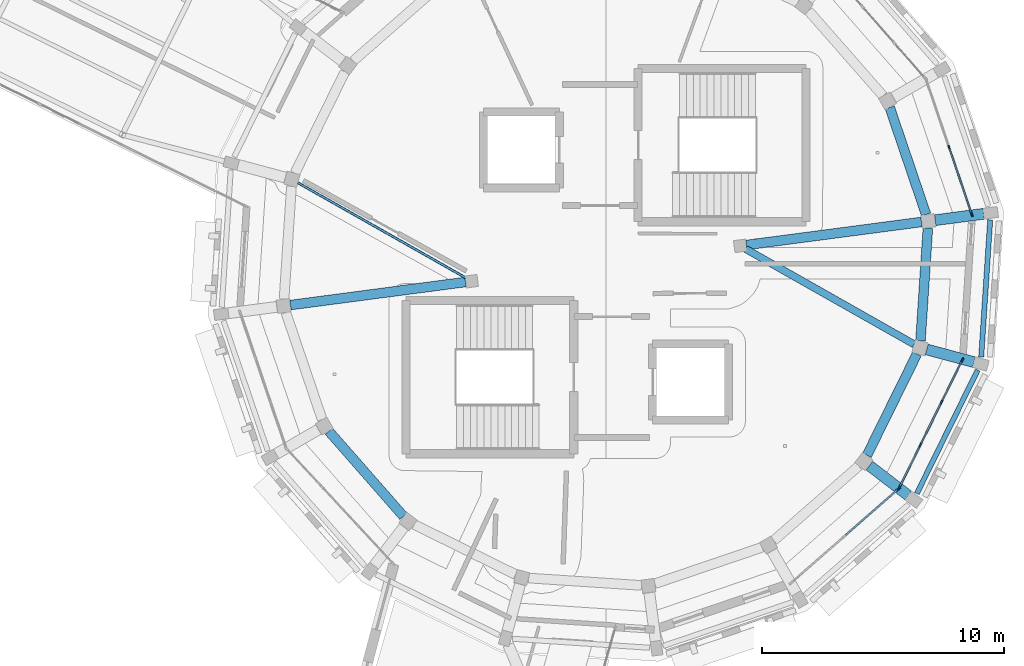
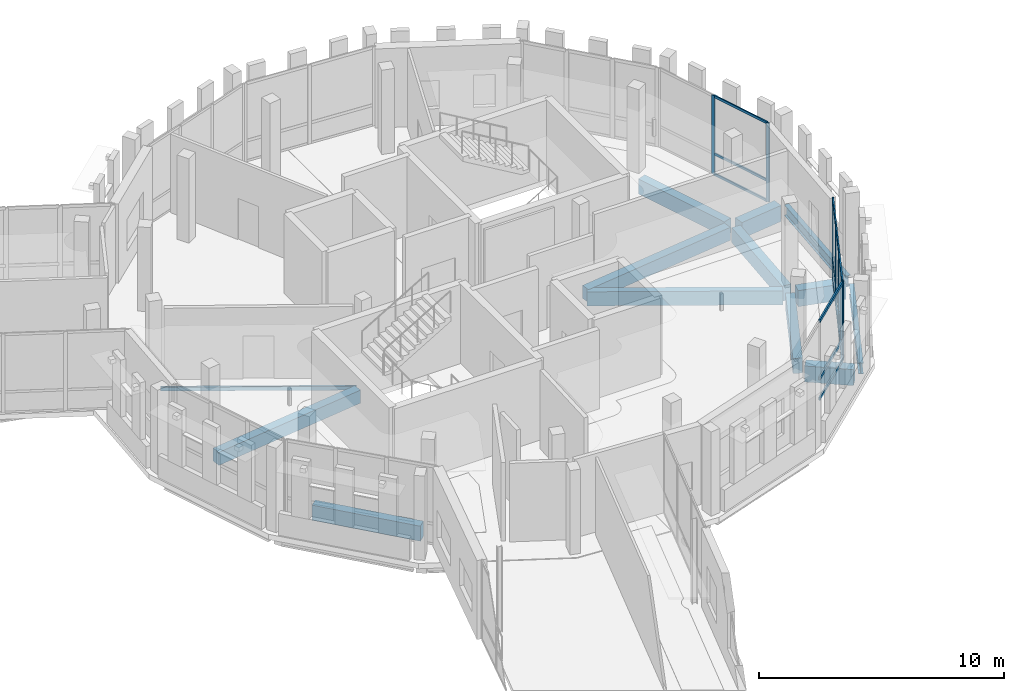
# One storey, part 64 of 125: 22 members, 13 beams, 3 elements without a shape of their own.
"""IFC4 building model written with IfcOpenShell, lengths in metres."""

import ifcopenshell
import ifcopenshell.guid

model = None  # the IFC model being written
_history = None  # IfcOwnerHistory: only IFC2X3 demands one
_inside = {}  # id of a spatial element -> (the spatial element, [elements in it])
_under = {}  # id of a project, library or spatial element -> (it, [spatial elements below it])
_declared = {}  # id of a project -> (the project, [libraries it declares])
_typed = {}  # id of a type object -> (the type object, [elements of that type])
_made_of = {}  # id of a material, layer set ... -> (it, [elements and type objects made of it])


def new_model(schema):
    """Start an empty IFC model of exactly this schema.

    Asked for "IFC4X3", IfcOpenShell would pick the latest addendum, in which some entities
    have other attributes; the version numbers below select the first issue.
    IFC2X3 requires an IfcOwnerHistory on every rooted entity: one is made here for all.
    """
    global model, _history
    if schema == "IFC4X3":
        model = ifcopenshell.file(schema_version=(4, 3, 0, 0))
    else:
        model = ifcopenshell.file(schema=schema)
    _inside.clear()
    _under.clear()
    _declared.clear()
    _typed.clear()
    _made_of.clear()
    _history = None
    if model.schema == "IFC2X3":
        org = make("IfcOrganization", Name="unknown")
        user = make(
            "IfcPersonAndOrganization",
            ThePerson=make("IfcPerson", FamilyName="unknown"),
            TheOrganization=org,
        )
        app = make(
            "IfcApplication",
            ApplicationDeveloper=org,
            Version="unknown",
            ApplicationFullName="unknown",
            ApplicationIdentifier="unknown",
        )
        _history = make(
            "IfcOwnerHistory",
            OwningUser=user,
            OwningApplication=app,
            ChangeAction="ADDED",
            CreationDate=0,
        )
    return model


def make(cls, **values):
    """One entity of the class cls with the attributes given. An attribute that is None is left unset."""
    return model.create_entity(
        cls, **{name: value for name, value in values.items() if value is not None}
    )


def rooted(cls, **values):
    """An entity with a GlobalId (a new one), such as an element, a storey or a relation."""
    return make(cls, GlobalId=ifcopenshell.guid.new(), OwnerHistory=_history, **values)


def si_unit(unit_type, name, prefix=None):
    """IfcSIUnit, for example si_unit("LENGTHUNIT", "METRE", prefix="MILLI")."""
    return make("IfcSIUnit", UnitType=unit_type, Prefix=prefix, Name=name)


def assignment(units):
    """IfcUnitAssignment: the units of a project."""
    return None if units is None else make("IfcUnitAssignment", Units=units)


def point(xyz):
    """IfcCartesianPoint."""
    return None if xyz is None else make("IfcCartesianPoint", Coordinates=xyz)


def direction(xyz):
    """IfcDirection."""
    return None if xyz is None else make("IfcDirection", DirectionRatios=xyz)


def frame(location, z_axis=None, x_axis=None):
    """IfcAxis2Placement3D, a coordinate frame: its origin and axes. An axis left out is left unset."""
    return make(
        "IfcAxis2Placement3D",
        Location=point(location),
        Axis=direction(z_axis),
        RefDirection=direction(x_axis),
    )


def frame_2d(location, x_axis=None):
    """IfcAxis2Placement2D, a coordinate frame in the plane: its origin and x axis."""
    return make(
        "IfcAxis2Placement2D", Location=point(location), RefDirection=direction(x_axis)
    )


def origin():
    """The frame at (0, 0, 0) with its axes left unset."""
    return frame((0.0, 0.0, 0.0))


def origin_2d():
    """The frame at (0, 0) in the plane with its x axis left unset."""
    return frame_2d((0.0, 0.0))


def place(relative_to, where):
    """IfcLocalPlacement: puts the frame where relative to a parent placement (None: the world)."""
    return make(
        "IfcLocalPlacement", PlacementRelTo=relative_to, RelativePlacement=where
    )


def context(
    kind, dimensions, precision=None, world=None, true_north=None, identifier=None
):
    """IfcGeometricRepresentationContext, for example the 3D "Model" context."""
    return make(
        "IfcGeometricRepresentationContext",
        ContextIdentifier=identifier,
        ContextType=kind,
        CoordinateSpaceDimension=dimensions,
        Precision=precision,
        WorldCoordinateSystem=world,
        TrueNorth=true_north,
    )


def subcontext(parent, identifier, kind, view, scale=None):
    """IfcGeometricRepresentationSubContext, for example "Body" below "Model"."""
    return make(
        "IfcGeometricRepresentationSubContext",
        ContextIdentifier=identifier,
        ContextType=kind,
        ParentContext=parent,
        TargetScale=scale,
        TargetView=view,
    )


def project(units=None, contexts=None):
    """IfcProject with its units and contexts."""
    return rooted(
        "IfcProject",
        Name="project",
        RepresentationContexts=contexts,
        UnitsInContext=assignment(units),
    )


def spatial(cls, under=None, at=None, **own):
    """A site, building, storey or space (cls), placed at a placement, below another one or the project."""
    s = rooted(cls, ObjectPlacement=at, **own)
    if under is not None:
        _under.setdefault(under.id(), (under, []))[1].append(s)
    return s


def profile(cls, at=None, kind="AREA", **sizes):
    """A parametric profile (cls). Its sizes go by their IFC names, for example OverallWidth=200.0."""
    return make(cls, ProfileType=kind, Position=at, **sizes)


def rectangle(**sizes):
    """IfcRectangleProfileDef."""
    return profile("IfcRectangleProfileDef", **sizes)


def hollow_rectangle(**sizes):
    """IfcRectangleHollowProfileDef."""
    return profile("IfcRectangleHollowProfileDef", **sizes)


def i_section(**sizes):
    """IfcIShapeProfileDef."""
    return profile("IfcIShapeProfileDef", **sizes)


def extrude(swept, where, along, depth):
    """IfcExtrudedAreaSolid: the profile swept, set in the frame where, extruded along a direction by depth."""
    return make(
        "IfcExtrudedAreaSolid",
        SweptArea=swept,
        Position=where,
        ExtrudedDirection=direction(along),
        Depth=depth,
    )


def shape(context_of_items, identifier, shape_type, items):
    """IfcShapeRepresentation: the items that make up one representation, for example the "Body"."""
    return make(
        "IfcShapeRepresentation",
        ContextOfItems=context_of_items,
        RepresentationIdentifier=identifier,
        RepresentationType=shape_type,
        Items=items,
    )


def material(Name=None, Category=None):
    """IfcMaterial."""
    return make("IfcMaterial", Name=Name, Category=Category)


def material_profile(
    of_material, cross_section, Name=None, Category=None, Priority=None
):
    """IfcMaterialProfile: a cross section and its material."""
    return make(
        "IfcMaterialProfile",
        Name=Name,
        Material=of_material,
        Profile=cross_section,
        Priority=Priority,
        Category=Category,
    )


def profile_set(profiles, Name=None, composite=None):
    """IfcMaterialProfileSet."""
    return make(
        "IfcMaterialProfileSet",
        Name=Name,
        MaterialProfiles=profiles,
        CompositeProfile=composite,
    )


def made_of(thing, what):
    """Note that an element or type object is made of a material, layer set ...; save() writes the relation."""
    if what is not None:
        _made_of.setdefault(what.id(), (what, []))[1].append(thing)
    return thing


def type_object(cls, material=None, **own):
    """A type object (cls), such as IfcWallType, which elements share."""
    return made_of(rooted(cls, **own), material)


def element(
    cls,
    number,
    at=None,
    inside=None,
    cuts=None,
    type_object=None,
    material=None,
    context=None,
    identifier="Body",
    shape_type=None,
    held_by="IfcProductDefinitionShape",
    body=None,
    shapes=None,
    **own,
):
    """One element of the class cls, such as IfcWall. Its Tag is "e" and its number.

    at: its placement. inside: the storey or other place that contains it. cuts: it is an
    opening in that element (IfcRelVoidsElement). A single representation is given by context,
    identifier, shape_type and body (its items); several are given by shapes. held_by: the class
    of the entity that holds the representations. save() writes the other relations.
    """
    e = rooted(cls, Tag="e%d" % number, ObjectPlacement=at, **own)
    if body is not None:
        shapes = [shape(context, identifier, shape_type, body)]
    if shapes is not None:
        e.Representation = make(held_by, Representations=shapes)
    if inside is not None:
        _inside.setdefault(inside.id(), (inside, []))[1].append(e)
    if cuts is not None:
        rooted(
            "IfcRelVoidsElement", RelatingBuildingElement=cuts, RelatedOpeningElement=e
        )
    if type_object is not None:
        _typed.setdefault(type_object.id(), (type_object, []))[1].append(e)
    return made_of(e, material)


def aggregate(whole, parts):
    """IfcRelAggregates: a whole, such as a stair, and the parts it consists of."""
    return rooted("IfcRelAggregates", RelatingObject=whole, RelatedObjects=parts)


def save(model, path):
    """Write the relations noted so far, then the file.

    IfcRelAggregates (storeys below a building ...), IfcRelContainedInSpatialStructure (elements
    in a storey), IfcRelDefinesByType, IfcRelAssociatesMaterial and IfcRelDeclares: one each for
    every whole, place, type object, material and project.
    """
    for whole, parts in _under.values():
        aggregate(whole, parts)
    for where, things in _inside.values():
        rooted(
            "IfcRelContainedInSpatialStructure",
            RelatedElements=things,
            RelatingStructure=where,
        )
    for kind, things in _typed.values():
        rooted("IfcRelDefinesByType", RelatedObjects=things, RelatingType=kind)
    for what, things in _made_of.values():
        rooted("IfcRelAssociatesMaterial", RelatedObjects=things, RelatingMaterial=what)
    for by, libraries in _declared.values():
        rooted("IfcRelDeclares", RelatingContext=by, RelatedDefinitions=libraries)
    model.write(path)


model = new_model("IFC4")

# Units and contexts
model_context = context("Model", 3, precision=1e-05, world=origin(), true_north=direction((0.0, 1.0)))
body_context = subcontext(model_context, "Body", "Model", "MODEL_VIEW")
ifc_project = project(units=[si_unit("LENGTHUNIT", "METRE"), si_unit("AREAUNIT", "SQUARE_METRE"), si_unit("VOLUMEUNIT", "CUBIC_METRE"), si_unit("PLANEANGLEUNIT", "RADIAN"), si_unit("MASSUNIT", "GRAM", prefix="KILO")], contexts=[model_context])

# Site, building, storey
site_placement = place(None, origin())
site = spatial("IfcSite", under=ifc_project, at=site_placement, CompositionType="ELEMENT")
building_placement = place(site_placement, origin())
building = spatial("IfcBuilding", under=site, at=building_placement, Name="Wrenclough Park School", CompositionType="ELEMENT")
storey_placement = place(building_placement, frame((0.0, 0.0, 4.199951171875)))
storey = spatial("IfcBuildingStorey", under=building, at=storey_placement, Name="L01", CompositionType="ELEMENT", Elevation=4.199951171875)

# Curtain wall, members
ifc_material_1 = material(Name="Thermally broken aluminium and low-e glass curtain wall", Category="aluminium")
curtain_wall_type_1 = type_object("IfcCurtainWallType", Name="ENV-CW-06", PredefinedType="USERDEFINED", material=ifc_material_1)
curtain_wall_1_placement = place(storey_placement, origin())
curtain_wall_1 = element("IfcCurtainWall", 1, at=curtain_wall_1_placement, inside=storey, type_object=curtain_wall_type_1, Name="L01 recessed curtain wall assembly 117", ObjectType="CURTAIN WALL", PredefinedType="USERDEFINED")
ifc_material_2 = material(Name="Thermally broken anodised aluminium", Category="aluminium")
ifc_material_profile_1 = material_profile(ifc_material_2, rectangle(XDim=0.06005859375, YDim=0.159912109375, at=origin_2d()), Name="AL MULLION 60x160")
ifc_profile_set_1 = profile_set([ifc_material_profile_1], Name="Thermally broken anodised aluminium")
member_type_1 = type_object("IfcMemberType", Name="ENV-CWM-1", PredefinedType="MULLION", material=ifc_profile_set_1)
member_1_placement = place(storey_placement, frame((188.68896484375, 98.31640625, 0.0), z_axis=(0.0, 0.0, 1.0), x_axis=(0.946933787668, 0.321428688473, 0.0)))
member_1 = element("IfcMember", 2, at=member_1_placement, type_object=member_type_1, Name="CW-06 mullion 2", PredefinedType="MULLION", context=body_context, shape_type="SweptSolid", body=[
    extrude(rectangle(XDim=0.06005859375, YDim=0.159912109375, at=origin_2d()), origin(), (0.0, 0.0, 1.0), 3.93994140625),
])
member_2_placement = place(storey_placement, frame((189.635986328125, 95.5263671875, 0.0), z_axis=(0.0, 0.0, 1.0), x_axis=(0.946933787668, 0.321428688473, 0.0)))
member_2 = element("IfcMember", 3, at=member_2_placement, type_object=member_type_1, Name="CW-06 mullion 3", PredefinedType="MULLION", context=body_context, shape_type="SweptSolid", body=[
    extrude(rectangle(XDim=0.06005859375, YDim=0.159912109375, at=origin_2d()), origin(), (0.0, 0.0, 1.0), 3.93994140625),
])

curtain_wall_type_2 = type_object("IfcCurtainWallType", Name="ENV-CW-07", PredefinedType="USERDEFINED", material=ifc_material_1)
curtain_wall_2_placement = place(storey_placement, origin())
curtain_wall_2 = element("IfcCurtainWall", 4, at=curtain_wall_2_placement, inside=storey, type_object=curtain_wall_type_2, Name="L01 recessed curtain wall assembly 118", ObjectType="CURTAIN WALL", PredefinedType="USERDEFINED")
ifc_material_profile_2 = material_profile(ifc_material_2, rectangle(XDim=0.06494140625, YDim=0.179931640625, at=origin_2d()), Name="AL MULLION 65x180")
ifc_profile_set_2 = profile_set([ifc_material_profile_2], Name="Thermally broken anodised aluminium")
member_type_2 = type_object("IfcMemberType", Name="ENV-CWM-2", PredefinedType="MULLION", material=ifc_profile_set_2)
member_3_placement = place(storey_placement, frame((189.240966796875, 89.51318359375, 0.0), z_axis=(0.0, 0.0, 1.0), x_axis=(0.896866215328, -0.442301923806, 0.0)))
member_3 = element("IfcMember", 5, at=member_3_placement, type_object=member_type_2, Name="CW-07 mullion 1", PredefinedType="MULLION", context=body_context, shape_type="SweptSolid", body=[
    extrude(rectangle(XDim=0.06494140625, YDim=0.179931640625, at=origin_2d()), origin(), (0.0, 0.0, 1.0), 3.93994140625),
])
member_4_placement = place(storey_placement, frame((188.377685546875, 87.762451171875, 0.0), z_axis=(0.0, 0.0, 1.0), x_axis=(0.896866215328, -0.442301923806, 0.0)))
member_4 = element("IfcMember", 6, at=member_4_placement, type_object=member_type_2, Name="CW-07 mullion 2", PredefinedType="MULLION", context=body_context, shape_type="SweptSolid", body=[
    extrude(rectangle(XDim=0.06494140625, YDim=0.179931640625, at=origin_2d()), origin(), (0.0, 0.0, 1.0), 3.93994140625),
])
member_5_placement = place(storey_placement, frame((187.5, 85.98291015625, 0.0), z_axis=(0.0, 0.0, 1.0), x_axis=(0.896866215328, -0.442301923806, 0.0)))
member_5 = element("IfcMember", 7, at=member_5_placement, type_object=member_type_2, Name="CW-07 mullion 3", PredefinedType="MULLION", context=body_context, shape_type="SweptSolid", body=[
    extrude(rectangle(XDim=0.06494140625, YDim=0.179931640625, at=origin_2d()), origin(), (0.0, 0.0, 1.0), 3.93994140625),
])
member_6_placement = place(storey_placement, frame((186.63671875, 84.232177734375, 0.0), z_axis=(0.0, 0.0, 1.0), x_axis=(0.896866215328, -0.442301923806, 0.0)))
member_6 = element("IfcMember", 8, at=member_6_placement, type_object=member_type_2, Name="CW-07 mullion 4", PredefinedType="MULLION", context=body_context, shape_type="SweptSolid", body=[
    extrude(rectangle(XDim=0.06494140625, YDim=0.179931640625, at=origin_2d()), origin(), (0.0, 0.0, 1.0), 3.93994140625),
])

# Curtain wall, member
curtain_wall_type_3 = type_object("IfcCurtainWallType", Name="ENV-CW-08", PredefinedType="USERDEFINED", material=ifc_material_1)
curtain_wall_3_placement = place(storey_placement, origin())
curtain_wall_3 = element("IfcCurtainWall", 9, at=curtain_wall_3_placement, inside=storey, type_object=curtain_wall_type_3, Name="L01 recessed curtain wall assembly 119", ObjectType="CURTAIN WALL", PredefinedType="USERDEFINED")
ifc_material_profile_3 = material_profile(ifc_material_2, rectangle(XDim=0.070068359375, YDim=0.199951171875, at=origin_2d()), Name="AL MULLION 70x200")
ifc_profile_set_3 = profile_set([ifc_material_profile_3], Name="Thermally broken anodised aluminium")
member_type_3 = type_object("IfcMemberType", Name="ENV-CWM-3", PredefinedType="MULLION", material=ifc_profile_set_3)
member_7_placement = place(storey_placement, frame((186.591064453125, 84.173828125, 0.0), z_axis=(0.0, 0.0, 1.0), x_axis=(0.65936519908, -0.751822807743, 0.0)))
member_7 = element("IfcMember", 10, at=member_7_placement, type_object=member_type_3, Name="CW-08 mullion 1", PredefinedType="MULLION", context=body_context, shape_type="SweptSolid", body=[
    extrude(rectangle(XDim=0.070068359375, YDim=0.199951171875, at=origin_2d()), origin(), (0.0, 0.0, 1.0), 3.93994140625),
])

# Member
ifc_material_profile_4 = material_profile(ifc_material_2, rectangle(XDim=0.06005859375, YDim=0.1201171875, at=origin_2d()), Name="AL TRANSOM 60x120")
ifc_profile_set_4 = profile_set([ifc_material_profile_4], Name="Thermally broken anodised aluminium")
member_type_4 = type_object("IfcMemberType", Name="ENV-CWT-1", PredefinedType="USERDEFINED", material=ifc_profile_set_4)
member_8_placement = place(storey_placement, frame((188.698486328125, 98.2880859375, 0.030029296875), z_axis=(0.321475117743, -0.946918026374, 0.0), x_axis=(0.946918026374, 0.321475117743, 0.0)))
member_8 = element("IfcMember", 11, at=member_8_placement, type_object=member_type_4, Name="CW-06 transom 2.1", ObjectType="TRANSOM", PredefinedType="USERDEFINED", context=body_context, shape_type="SweptSolid", body=[
    extrude(rectangle(XDim=0.06005859375, YDim=0.1201171875, at=origin_2d()), origin(), (0.0, 0.0, 1.0), 2.88671875),
])

member_9_placement = place(storey_placement, frame((188.698486328125, 98.2880859375, 1.050048828125), z_axis=(0.321475117743, -0.946918026374, 0.0), x_axis=(0.946918026374, 0.321475117743, 0.0)))
member_9 = element("IfcMember", 12, at=member_9_placement, type_object=member_type_4, Name="CW-06 transom 2.2", ObjectType="TRANSOM", PredefinedType="USERDEFINED", context=body_context, shape_type="SweptSolid", body=[
    extrude(rectangle(XDim=0.06005859375, YDim=0.1201171875, at=origin_2d()), origin(), (0.0, 0.0, 1.0), 2.88671875),
])

member_10_placement = place(storey_placement, frame((188.698486328125, 98.2880859375, 3.91015625), z_axis=(0.321475117743, -0.946918026374, 0.0), x_axis=(0.946918026374, 0.321475117743, 0.0)))
member_10 = element("IfcMember", 13, at=member_10_placement, type_object=member_type_4, Name="CW-06 transom 2.3", ObjectType="TRANSOM", PredefinedType="USERDEFINED", context=body_context, shape_type="SweptSolid", body=[
    extrude(rectangle(XDim=0.06005859375, YDim=0.1201171875, at=origin_2d()), origin(), (0.0, 0.0, 1.0), 2.88671875),
])

aggregate(curtain_wall_1, [member_1, member_2, member_8, member_9, member_10])

ifc_material_profile_5 = material_profile(ifc_material_2, rectangle(XDim=0.06494140625, YDim=0.139892578125, at=origin_2d()), Name="AL TRANSOM 65x140")
ifc_profile_set_5 = profile_set([ifc_material_profile_5], Name="Thermally broken anodised aluminium")
member_type_5 = type_object("IfcMemberType", Name="ENV-CWT-2", PredefinedType="USERDEFINED", material=ifc_profile_set_5)
member_11_placement = place(storey_placement, frame((189.2265625, 89.48388671875, 0.032470703125), z_axis=(-0.442289632432, -0.896872276884, 0.0), x_axis=(0.896872276884, -0.442289632432, 0.0)))
member_11 = element("IfcMember", 14, at=member_11_placement, type_object=member_type_5, Name="CW-07 transom 1.1", ObjectType="TRANSOM", PredefinedType="USERDEFINED", context=body_context, shape_type="SweptSolid", body=[
    extrude(rectangle(XDim=0.06494140625, YDim=0.139892578125, at=origin_2d()), origin(), (0.0, 0.0, 1.0), 1.88671875),
])

member_12_placement = place(storey_placement, frame((189.2265625, 89.48388671875, 1.050048828125), z_axis=(-0.442289632432, -0.896872276884, 0.0), x_axis=(0.896872276884, -0.442289632432, 0.0)))
member_12 = element("IfcMember", 15, at=member_12_placement, type_object=member_type_5, Name="CW-07 transom 1.2", ObjectType="TRANSOM", PredefinedType="USERDEFINED", context=body_context, shape_type="SweptSolid", body=[
    extrude(rectangle(XDim=0.06494140625, YDim=0.139892578125, at=origin_2d()), origin(), (0.0, 0.0, 1.0), 1.88671875),
])

member_13_placement = place(storey_placement, frame((189.2265625, 89.48388671875, 3.907470703125), z_axis=(-0.442289632432, -0.896872276884, 0.0), x_axis=(0.896872276884, -0.442289632432, 0.0)))
member_13 = element("IfcMember", 16, at=member_13_placement, type_object=member_type_5, Name="CW-07 transom 1.3", ObjectType="TRANSOM", PredefinedType="USERDEFINED", context=body_context, shape_type="SweptSolid", body=[
    extrude(rectangle(XDim=0.06494140625, YDim=0.139892578125, at=origin_2d()), origin(), (0.0, 0.0, 1.0), 1.88671875),
])

member_14_placement = place(storey_placement, frame((188.36328125, 87.7333984375, 0.032470703125), z_axis=(-0.442271460139, -0.896881238262, 0.0), x_axis=(0.896881238262, -0.442271460139, 0.0)))
member_14 = element("IfcMember", 17, at=member_14_placement, type_object=member_type_5, Name="CW-07 transom 2.1", ObjectType="TRANSOM", PredefinedType="USERDEFINED", context=body_context, shape_type="SweptSolid", body=[
    extrude(rectangle(XDim=0.06494140625, YDim=0.139892578125, at=origin_2d()), origin(), (0.0, 0.0, 1.0), 1.91943359375),
])

member_15_placement = place(storey_placement, frame((188.36328125, 87.7333984375, 1.050048828125), z_axis=(-0.442271460139, -0.896881238262, 0.0), x_axis=(0.896881238262, -0.442271460139, 0.0)))
member_15 = element("IfcMember", 18, at=member_15_placement, type_object=member_type_5, Name="CW-07 transom 2.2", ObjectType="TRANSOM", PredefinedType="USERDEFINED", context=body_context, shape_type="SweptSolid", body=[
    extrude(rectangle(XDim=0.06494140625, YDim=0.139892578125, at=origin_2d()), origin(), (0.0, 0.0, 1.0), 1.91943359375),
])

member_16_placement = place(storey_placement, frame((188.36328125, 87.7333984375, 3.907470703125), z_axis=(-0.442271460139, -0.896881238262, 0.0), x_axis=(0.896881238262, -0.442271460139, 0.0)))
member_16 = element("IfcMember", 19, at=member_16_placement, type_object=member_type_5, Name="CW-07 transom 2.3", ObjectType="TRANSOM", PredefinedType="USERDEFINED", context=body_context, shape_type="SweptSolid", body=[
    extrude(rectangle(XDim=0.06494140625, YDim=0.139892578125, at=origin_2d()), origin(), (0.0, 0.0, 1.0), 1.91943359375),
])

member_17_placement = place(storey_placement, frame((187.485595703125, 85.95361328125, 0.032470703125), z_axis=(-0.442289632432, -0.896872276884, 0.0), x_axis=(0.896872276884, -0.442289632432, 0.0)))
member_17 = element("IfcMember", 20, at=member_17_placement, type_object=member_type_5, Name="CW-07 transom 3.1", ObjectType="TRANSOM", PredefinedType="USERDEFINED", context=body_context, shape_type="SweptSolid", body=[
    extrude(rectangle(XDim=0.06494140625, YDim=0.139892578125, at=origin_2d()), origin(), (0.0, 0.0, 1.0), 1.88671875),
])

member_18_placement = place(storey_placement, frame((187.485595703125, 85.95361328125, 1.050048828125), z_axis=(-0.442289632432, -0.896872276884, 0.0), x_axis=(0.896872276884, -0.442289632432, 0.0)))
member_18 = element("IfcMember", 21, at=member_18_placement, type_object=member_type_5, Name="CW-07 transom 3.2", ObjectType="TRANSOM", PredefinedType="USERDEFINED", context=body_context, shape_type="SweptSolid", body=[
    extrude(rectangle(XDim=0.06494140625, YDim=0.139892578125, at=origin_2d()), origin(), (0.0, 0.0, 1.0), 1.88671875),
])

member_19_placement = place(storey_placement, frame((187.485595703125, 85.95361328125, 3.907470703125), z_axis=(-0.442289632432, -0.896872276884, 0.0), x_axis=(0.896872276884, -0.442289632432, 0.0)))
member_19 = element("IfcMember", 22, at=member_19_placement, type_object=member_type_5, Name="CW-07 transom 3.3", ObjectType="TRANSOM", PredefinedType="USERDEFINED", context=body_context, shape_type="SweptSolid", body=[
    extrude(rectangle(XDim=0.06494140625, YDim=0.139892578125, at=origin_2d()), origin(), (0.0, 0.0, 1.0), 1.88671875),
])

aggregate(curtain_wall_2, [member_3, member_4, member_5, member_6, member_11, member_12, member_13, member_14, member_15, member_16, member_17, member_18, member_19])

ifc_material_profile_6 = material_profile(ifc_material_2, rectangle(XDim=0.070068359375, YDim=0.14990234375, at=origin_2d()), Name="AL TRANSOM 70x150")
ifc_profile_set_6 = profile_set([ifc_material_profile_6], Name="Thermally broken anodised aluminium")
member_type_6 = type_object("IfcMemberType", Name="ENV-CWT-3", PredefinedType="USERDEFINED", material=ifc_profile_set_6)
member_20_placement = place(storey_placement, frame((186.56494140625, 84.150634765625, 0.03515625), z_axis=(-0.751844142799, -0.659340871583, 0.0), x_axis=(0.659340871583, -0.751844142799, 0.0)))
member_20 = element("IfcMember", 23, at=member_20_placement, type_object=member_type_6, Name="CW-08 transom 1.1", ObjectType="TRANSOM", PredefinedType="USERDEFINED", context=body_context, shape_type="SweptSolid", body=[
    extrude(rectangle(XDim=0.070068359375, YDim=0.14990234375, at=origin_2d()), origin(), (0.0, 0.0, 1.0), 2.87158203125),
])

member_21_placement = place(storey_placement, frame((186.56494140625, 84.150634765625, 1.050048828125), z_axis=(-0.751844142799, -0.659340871583, 0.0), x_axis=(0.659340871583, -0.751844142799, 0.0)))
member_21 = element("IfcMember", 24, at=member_21_placement, type_object=member_type_6, Name="CW-08 transom 1.2", ObjectType="TRANSOM", PredefinedType="USERDEFINED", context=body_context, shape_type="SweptSolid", body=[
    extrude(rectangle(XDim=0.070068359375, YDim=0.14990234375, at=origin_2d()), origin(), (0.0, 0.0, 1.0), 2.87158203125),
])

member_22_placement = place(storey_placement, frame((186.56494140625, 84.150634765625, 3.905029296875), z_axis=(-0.751844142799, -0.659340871583, 0.0), x_axis=(0.659340871583, -0.751844142799, 0.0)))
member_22 = element("IfcMember", 25, at=member_22_placement, type_object=member_type_6, Name="CW-08 transom 1.3", ObjectType="TRANSOM", PredefinedType="USERDEFINED", context=body_context, shape_type="SweptSolid", body=[
    extrude(rectangle(XDim=0.070068359375, YDim=0.14990234375, at=origin_2d()), origin(), (0.0, 0.0, 1.0), 2.87158203125),
])

aggregate(curtain_wall_3, [member_7, member_20, member_21, member_22])

# Beams
ifc_material_3 = material(Name="Concrete C40/50", Category="concrete")
ifc_material_profile_7 = material_profile(ifc_material_3, rectangle(XDim=0.300048828125, YDim=0.699951171875, at=origin_2d()), Name="RC COUPLE 300x700")
ifc_profile_set_7 = profile_set([ifc_material_profile_7], Name="Concrete C40/50")
beam_type_1 = type_object("IfcBeamType", Name="STR-BM-CPL1", PredefinedType="USERDEFINED", material=ifc_profile_set_7)
beam_1_placement = place(storey_placement, frame((187.2412109375, 90.160888671875, -0.614990234375), z_axis=(-0.870223765614, 0.492656673314, 0.0), x_axis=(-0.492656673314, -0.870223765614, 0.0)))
element("IfcBeam", 26, at=beam_1_placement, inside=storey, type_object=beam_type_1, Name="D5 L01 secondary radial floor beam 15", ObjectType="COUPLING BEAM", PredefinedType="USERDEFINED", context=body_context, shape_type="SweptSolid", body=[
    extrude(rectangle(XDim=0.300048828125, YDim=0.699951171875, at=origin_2d()), origin(), (0.0, 0.0, 1.0), 7.997314453125),
])
ifc_material_4 = material(Name="Concrete C35/45", Category="concrete")
ifc_material_profile_8 = material_profile(ifc_material_4, rectangle(XDim=0.39990234375, YDim=0.64990234375, at=origin_2d()), Name="RC BEAM 400x650")
ifc_profile_set_8 = profile_set([ifc_material_profile_8], Name="Concrete C35/45")
beam_type_2 = type_object("IfcBeamType", Name="STR-BM-RC400A", PredefinedType="BEAM", material=ifc_profile_set_8)
for number, where, z_axis, x_axis, name in (
    (27, (187.54931640625, 95.218017578125, -0.58984375), (-0.991443930894, -0.130533259721, 0.0), (0.130533259721, -0.991443930894, 0.0), "D5 L01 inner radial beam 1"),
    (28, (161.45068359375, 91.781982421875, -0.58984375), (0.991443930894, 0.130533259721, 0.0), (-0.130533259721, 0.991443930894, 0.0), "D5 L01 inner radial beam 5"),
):
    element("IfcBeam", number, at=place(storey_placement, frame(where, z_axis=z_axis, x_axis=x_axis)), inside=storey, type_object=beam_type_2, Name=name, PredefinedType="BEAM", context=body_context, shape_type="SweptSolid", body=[
        extrude(rectangle(XDim=0.39990234375, YDim=0.64990234375, at=origin_2d()), origin(), (0.0, 0.0, 1.0), 7.298095703125),
    ])
ifc_material_profile_9 = material_profile(ifc_material_4, rectangle(XDim=0.39990234375, YDim=0.75, at=origin_2d()), Name="RC BEAM 400x750")
ifc_profile_set_9 = profile_set([ifc_material_profile_9], Name="Concrete C35/45")
beam_type_3 = type_object("IfcBeamType", Name="STR-BM-RC400B", PredefinedType="BEAM", material=ifc_profile_set_9)
for number, where, z_axis, x_axis, name in (
    (29, (187.7421875, 95.5283203125, -0.639892578125), (-0.321427721776, 0.946934115804, 0.0), (-0.946934115804, -0.321427721776, 0.0), "D5 L01 middle ring beam 1"),
    (30, (163.0419921875, 86.55859375, -0.639892578125), (0.659318126683, -0.751864088667, 0.0), (0.751864088667, 0.659318126683, 0.0), "D5 L01 middle ring beam 10"),
):
    element("IfcBeam", number, at=place(storey_placement, frame(where, z_axis=z_axis, x_axis=x_axis)), inside=storey, type_object=beam_type_3, Name=name, PredefinedType="BEAM", context=body_context, shape_type="SweptSolid", body=[
        extrude(rectangle(XDim=0.39990234375, YDim=0.75, at=origin_2d()), origin(), (0.0, 0.0, 1.0), 4.671875),
    ])
beam_2_placement = place(storey_placement, frame((185.298095703125, 85.570556640625, -0.639892578125), z_axis=(0.442273481226, 0.896880241617, 0.0), x_axis=(-0.896880241617, 0.442273481226, 0.0)))
element("IfcBeam", 31, at=beam_2_placement, inside=storey, type_object=beam_type_3, Name="D5 L01 middle ring beam 15", PredefinedType="BEAM", context=body_context, shape_type="SweptSolid", body=[
    extrude(rectangle(XDim=0.39990234375, YDim=0.75, at=origin_2d()), origin(), (0.0, 0.0, 1.0), 4.671630859375),
])
beam_3_placement = place(storey_placement, frame((187.510498046875, 90.306396484375, -0.639892578125), z_axis=(0.065426418457, 0.997857396509, 0.0), x_axis=(-0.997857396509, 0.065426418457, 0.0)))
element("IfcBeam", 32, at=beam_3_placement, inside=storey, type_object=beam_type_3, Name="D5 L01 middle ring beam 16", PredefinedType="BEAM", context=body_context, shape_type="SweptSolid", body=[
    extrude(rectangle(XDim=0.39990234375, YDim=0.75, at=origin_2d()), origin(), (0.0, 0.0, 1.0), 4.671875),
])
ifc_material_profile_10 = material_profile(ifc_material_3, rectangle(XDim=0.449951171875, YDim=0.800048828125, at=origin_2d()), Name="RC BEAM 450x800")
ifc_profile_set_10 = profile_set([ifc_material_profile_10], Name="Concrete C40/50")
beam_type_4 = type_object("IfcBeamType", Name="STR-BM-RC450", PredefinedType="BEAM", material=ifc_profile_set_10)
beam_4_placement = place(storey_placement, frame((190.127197265625, 95.557373046875, -0.6650390625), z_axis=(-0.991447725786, -0.130504433005, 0.0), x_axis=(0.130504433005, -0.991447725786, 0.0)))
element("IfcBeam", 33, at=beam_4_placement, inside=storey, type_object=beam_type_4, Name="D5 L01 radial girder 1", PredefinedType="BEAM", context=body_context, shape_type="SweptSolid", body=[
    extrude(rectangle(XDim=0.449951171875, YDim=0.800048828125, at=origin_2d()), origin(), (0.0, 0.0, 1.0), 2.024169921875),
])
for number, where, z_axis, x_axis, name in (
    (34, (187.0048828125, 83.90478515625, -0.6650390625), (-0.793336422335, 0.608783476285, 0.0), (-0.608783476285, -0.793336422335, 0.0), "D5 L01 radial girder 15"),
    (35, (189.724853515625, 89.42041015625, -0.6650390625), (-0.965909815931, 0.258878789183, 0.0), (-0.258878789183, -0.965909815931, 0.0), "D5 L01 radial girder 16"),
):
    element("IfcBeam", number, at=place(storey_placement, frame(where, z_axis=z_axis, x_axis=x_axis)), inside=storey, type_object=beam_type_4, Name=name, PredefinedType="BEAM", context=body_context, shape_type="SweptSolid", body=[
        extrude(rectangle(XDim=0.449951171875, YDim=0.800048828125, at=origin_2d()), origin(), (0.0, 0.0, 1.0), 2.02392578125),
    ])
ifc_material_5 = material(Name="Structural steel S355", Category="steel")
ifc_material_profile_11 = material_profile(ifc_material_5, hollow_rectangle(XDim=0.10009765625, YDim=0.199951171875, WallThickness=0.008056640625, InnerFilletRadius=0.008056640625, OuterFilletRadius=0.011962890625, at=origin_2d()), Name="RHS 200x100x8.0")
ifc_profile_set_11 = profile_set([ifc_material_profile_11], Name="Structural steel S355")
beam_type_5 = type_object("IfcBeamType", Name="STR-BM-RHS200", PredefinedType="LINTEL", material=ifc_profile_set_11)
beam_5_placement = place(storey_placement, frame((161.7587890625, 96.839111328125, -0.364990234375), z_axis=(0.870223765614, -0.492656673314, 0.0), x_axis=(0.492656673314, 0.870223765614, 0.0)))
element("IfcBeam", 36, at=beam_5_placement, inside=storey, type_object=beam_type_5, Name="D5 L01 secondary radial floor beam 7", PredefinedType="LINTEL", context=body_context, shape_type="SweptSolid", body=[
    extrude(hollow_rectangle(XDim=0.10009765625, YDim=0.199951171875, WallThickness=0.008056640625, InnerFilletRadius=0.008056640625, OuterFilletRadius=0.011962890625, at=origin_2d()), origin(), (0.0, 0.0, 1.0), 7.997314453125),
])
ifc_material_profile_12 = material_profile(ifc_material_5, i_section(OverallWidth=0.210693359375, OverallDepth=0.53955078125, WebThickness=0.01171875, FlangeThickness=0.018798828125, FilletRadius=0.0126953125, at=origin_2d()), Name="UKB 533x210x109")
ifc_profile_set_12 = profile_set([ifc_material_profile_12], Name="Structural steel S355")
beam_type_6 = type_object("IfcBeamType", Name="STR-BM-UKB533B", PredefinedType="SPANDREL", material=ifc_profile_set_12)
beam_6_placement = place(storey_placement, frame((187.360595703125, 83.98779296875, -0.53466796875), z_axis=(0.442312353825, 0.896861071545, 0.0), x_axis=(-0.896861071545, 0.442312353825, 0.0)))
element("IfcBeam", 37, at=beam_6_placement, inside=storey, type_object=beam_type_6, Name="D5 L01 outer ring spandrel beam 15", PredefinedType="SPANDREL", context=body_context, shape_type="SweptSolid", body=[
    extrude(i_section(OverallWidth=0.210693359375, OverallDepth=0.53955078125, WebThickness=0.01171875, FlangeThickness=0.018798828125, FilletRadius=0.0126953125, at=origin_2d()), origin(), (0.0, 0.0, 1.0), 5.686279296875),
])
beam_7_placement = place(storey_placement, frame((190.02197265625, 89.63330078125, -0.53466796875), z_axis=(0.065387689577, 0.997859935087, 0.0), x_axis=(-0.997859935087, 0.065387689577, 0.0)))
element("IfcBeam", 38, at=beam_7_placement, inside=storey, type_object=beam_type_6, Name="D5 L01 outer ring spandrel beam 16", PredefinedType="SPANDREL", context=body_context, shape_type="SweptSolid", body=[
    extrude(i_section(OverallWidth=0.210693359375, OverallDepth=0.53955078125, WebThickness=0.01171875, FlangeThickness=0.018798828125, FilletRadius=0.0126953125, at=origin_2d()), origin(), (0.0, 0.0, 1.0), 5.6865234375),
])

save(model, "model.ifc")
